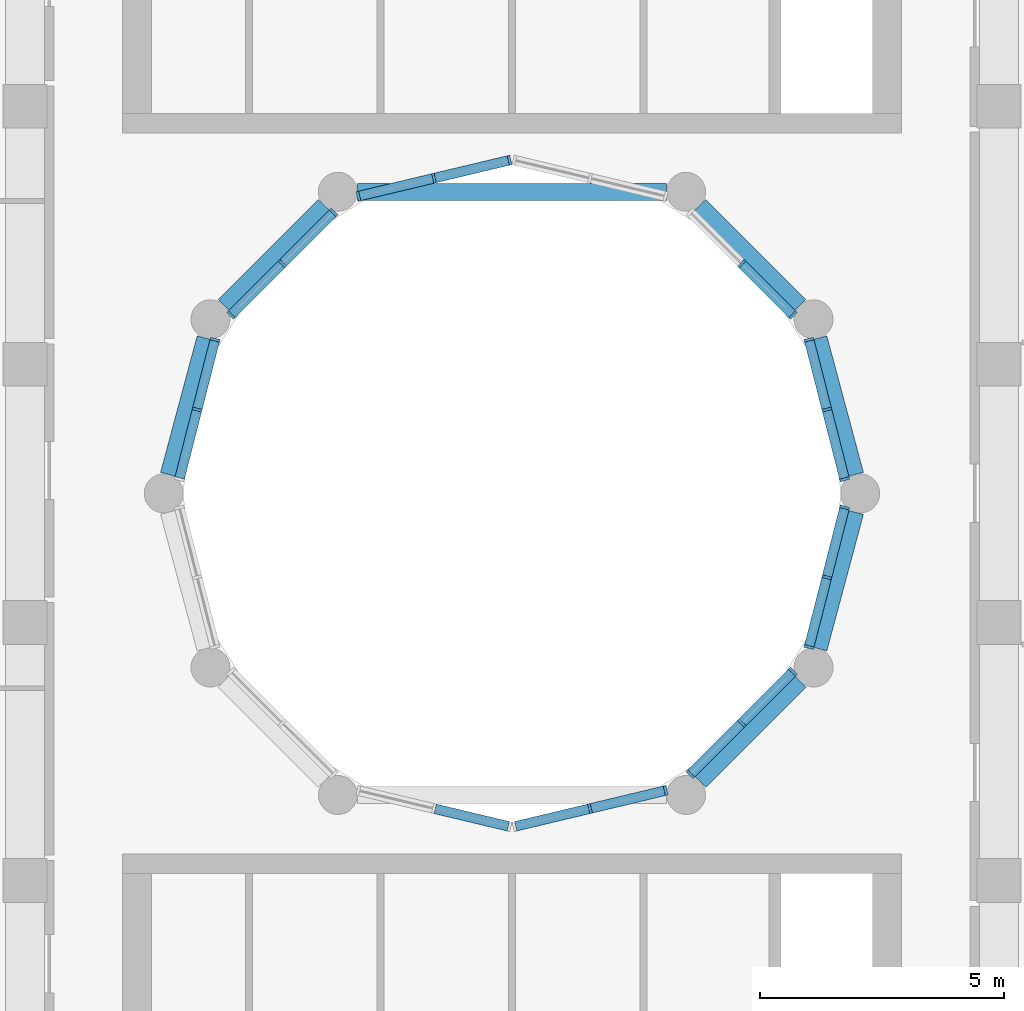
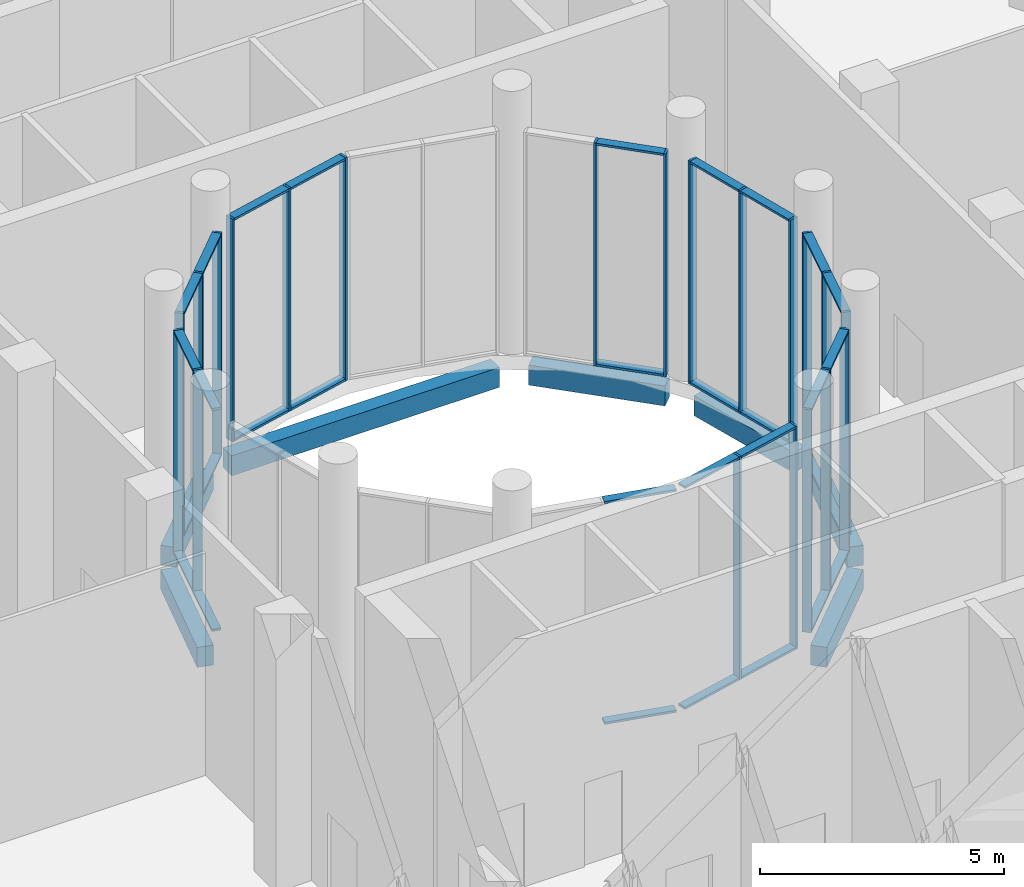
# One storey, part 3 of 19: 53 members, 7 beams, 9 elements without a shape of their own.
"""IFC4 building model written with IfcOpenShell, lengths in metres."""

from ifc_helpers import new_model, si_unit, direction, frame, origin, origin_2d, place, context, subcontext, project, spatial, rectangle, extrude, material, layer, layer_set, material_profile, profile_set, type_object, element, aggregate, save


model = new_model("IFC4")

# Units and contexts
model_context = context("Model", 3, precision=1e-05, world=origin(), true_north=direction((0.0, 1.0)))
body_context = subcontext(model_context, "Body", "Model", "MODEL_VIEW")
ifc_project = project(units=[si_unit("LENGTHUNIT", "METRE"), si_unit("AREAUNIT", "SQUARE_METRE"), si_unit("VOLUMEUNIT", "CUBIC_METRE"), si_unit("PLANEANGLEUNIT", "RADIAN"), si_unit("MASSUNIT", "GRAM", prefix="KILO")], contexts=[model_context])

# Site, building, storey
site_placement = place(None, origin())
site = spatial("IfcSite", under=ifc_project, at=site_placement, CompositionType="ELEMENT")
building_placement = place(site_placement, origin())
building = spatial("IfcBuilding", under=site, at=building_placement, Name="Nakaniwa Court", CompositionType="ELEMENT")
storey_placement = place(building_placement, frame((0.0, 0.0, 219.60009765625)))
storey = spatial("IfcBuildingStorey", under=building, at=storey_placement, Name="S4", CompositionType="ELEMENT", Elevation=219.60009765625)

# Curtain wall, members
ifc_material_1 = material(Name="Black anodised aluminium frame with dark low-E laminated double glazing", Category="aluminium")
ifc_layer = layer(ifc_material_1, 0.199951171875)
ifc_layer_set = layer_set([ifc_layer], Name="Black anodised aluminium frame with dark low-E laminated double glazing")
curtain_wall_type = type_object("IfcCurtainWallType", Name="Amenity and sky level curtain wall", PredefinedType="NOTDEFINED", material=ifc_layer_set)
curtain_wall_1_placement = place(storey_placement, origin())
curtain_wall_1 = element("IfcCurtainWall", 1, at=curtain_wall_1_placement, inside=storey, type_object=curtain_wall_type, Name="S4 curtain wall CW3 36", PredefinedType="NOTDEFINED")
ifc_material_2 = material(Name="Black anodised aluminium extrusion", Category="aluminium")
ifc_material_profile_1 = material_profile(ifc_material_2, rectangle(XDim=0.199951171875, YDim=0.054931640625, at=origin_2d()), Name="Amenity and sky level curtain wall mullion 55x200")
ifc_profile_set_1 = profile_set([ifc_material_profile_1], Name="Black anodised aluminium extrusion")
member_type_1 = type_object("IfcMemberType", Name="Amenity and sky level curtain wall mullion 55x200", PredefinedType="MULLION", material=ifc_profile_set_1)
member_1_placement = place(storey_placement, frame((86.829345703125, 79.70947265625, 0.0), z_axis=(0.0, 0.0, 1.0), x_axis=(0.968986463302, -0.247113807661, 0.0)))
member_1 = element("IfcMember", 2, at=member_1_placement, type_object=member_type_1, Name="CW3 mullion 1", PredefinedType="MULLION", context=body_context, shape_type="SweptSolid", body=[
    extrude(rectangle(XDim=0.199951171875, YDim=0.054931640625, at=origin_2d()), origin(), (0.0, 0.0, 1.0), 5.58984375),
])
member_2_placement = place(storey_placement, frame((86.46435546875, 78.27783203125, 0.0), z_axis=(0.0, 0.0, 1.0), x_axis=(0.968986463302, -0.247113807661, 0.0)))
member_2 = element("IfcMember", 3, at=member_2_placement, type_object=member_type_1, Name="CW3 mullion 2", PredefinedType="MULLION", context=body_context, shape_type="SweptSolid", body=[
    extrude(rectangle(XDim=0.199951171875, YDim=0.054931640625, at=origin_2d()), origin(), (0.0, 0.0, 1.0), 5.58984375),
])
member_3_placement = place(storey_placement, frame((86.09912109375, 76.84619140625, 0.0), z_axis=(0.0, 0.0, 1.0), x_axis=(0.968986463302, -0.247113807661, 0.0)))
member_3 = element("IfcMember", 4, at=member_3_placement, type_object=member_type_1, Name="CW3 mullion 3", PredefinedType="MULLION", context=body_context, shape_type="SweptSolid", body=[
    extrude(rectangle(XDim=0.199951171875, YDim=0.054931640625, at=origin_2d()), origin(), (0.0, 0.0, 1.0), 5.58984375),
])

curtain_wall_2_placement = place(storey_placement, origin())
curtain_wall_2 = element("IfcCurtainWall", 5, at=curtain_wall_2_placement, inside=storey, type_object=curtain_wall_type, Name="S4 curtain wall CW3 37", PredefinedType="NOTDEFINED")
member_4_placement = place(storey_placement, frame((85.7685546875, 76.33740234375, 0.0), z_axis=(0.0, 0.0, 1.0), x_axis=(0.707106781187, -0.707106781187, 0.0)))
member_4 = element("IfcMember", 6, at=member_4_placement, type_object=member_type_1, Name="CW3 mullion 1", PredefinedType="MULLION", context=body_context, shape_type="SweptSolid", body=[
    extrude(rectangle(XDim=0.199951171875, YDim=0.054931640625, at=origin_2d()), origin(), (0.0, 0.0, 1.0), 5.58984375),
])
member_5_placement = place(storey_placement, frame((84.715576171875, 75.284423828125, 0.0), z_axis=(0.0, 0.0, 1.0), x_axis=(0.707106781187, -0.707106781187, 0.0)))
member_5 = element("IfcMember", 7, at=member_5_placement, type_object=member_type_1, Name="CW3 mullion 2", PredefinedType="MULLION", context=body_context, shape_type="SweptSolid", body=[
    extrude(rectangle(XDim=0.199951171875, YDim=0.054931640625, at=origin_2d()), origin(), (0.0, 0.0, 1.0), 5.58984375),
])
member_6_placement = place(storey_placement, frame((83.66259765625, 74.2314453125, 0.0), z_axis=(0.0, 0.0, 1.0), x_axis=(0.707106781187, -0.707106781187, 0.0)))
member_6 = element("IfcMember", 8, at=member_6_placement, type_object=member_type_1, Name="CW3 mullion 3", PredefinedType="MULLION", context=body_context, shape_type="SweptSolid", body=[
    extrude(rectangle(XDim=0.199951171875, YDim=0.054931640625, at=origin_2d()), origin(), (0.0, 0.0, 1.0), 5.58984375),
])

curtain_wall_3_placement = place(storey_placement, origin())
curtain_wall_3 = element("IfcCurtainWall", 9, at=curtain_wall_3_placement, inside=storey, type_object=curtain_wall_type, Name="S4 curtain wall CW3 38", PredefinedType="NOTDEFINED")
member_7_placement = place(storey_placement, frame((83.153564453125, 73.898681640625, 0.0), z_axis=(0.0, 0.0, 1.0), x_axis=(0.231791306712, -0.972765537081, 0.0)))
member_7 = element("IfcMember", 10, at=member_7_placement, type_object=member_type_1, Name="CW3 mullion 1", PredefinedType="MULLION", context=body_context, shape_type="SweptSolid", body=[
    extrude(rectangle(XDim=0.199951171875, YDim=0.054931640625, at=origin_2d()), origin(), (0.0, 0.0, 1.0), 5.58984375),
])
member_8_placement = place(storey_placement, frame((81.601806640625, 73.52880859375, 0.0), z_axis=(0.0, 0.0, 1.0), x_axis=(0.231791306712, -0.972765537081, 0.0)))
member_8 = element("IfcMember", 11, at=member_8_placement, type_object=member_type_1, Name="CW3 mullion 2", PredefinedType="MULLION", context=body_context, shape_type="SweptSolid", body=[
    extrude(rectangle(XDim=0.199951171875, YDim=0.054931640625, at=origin_2d()), origin(), (0.0, 0.0, 1.0), 5.58984375),
])

curtain_wall_4_placement = place(storey_placement, origin())
curtain_wall_4 = element("IfcCurtainWall", 12, at=curtain_wall_4_placement, inside=storey, type_object=curtain_wall_type, Name="S4 curtain wall CW3 42", PredefinedType="NOTDEFINED")
member_9_placement = place(storey_placement, frame((73.53564453125, 81.72216796875, 0.0), z_axis=(0.0, 0.0, 1.0), x_axis=(-0.968986463302, 0.247113807661, 0.0)))
member_9 = element("IfcMember", 13, at=member_9_placement, type_object=member_type_1, Name="CW3 mullion 2", PredefinedType="MULLION", context=body_context, shape_type="SweptSolid", body=[
    extrude(rectangle(XDim=0.199951171875, YDim=0.054931640625, at=origin_2d()), origin(), (0.0, 0.0, 1.0), 5.58984375),
])
member_10_placement = place(storey_placement, frame((73.90087890625, 83.15380859375, 0.0), z_axis=(0.0, 0.0, 1.0), x_axis=(-0.968986463302, 0.247113807661, 0.0)))
member_10 = element("IfcMember", 14, at=member_10_placement, type_object=member_type_1, Name="CW3 mullion 3", PredefinedType="MULLION", context=body_context, shape_type="SweptSolid", body=[
    extrude(rectangle(XDim=0.199951171875, YDim=0.054931640625, at=origin_2d()), origin(), (0.0, 0.0, 1.0), 5.58984375),
])

curtain_wall_5_placement = place(storey_placement, origin())
curtain_wall_5 = element("IfcCurtainWall", 15, at=curtain_wall_5_placement, inside=storey, type_object=curtain_wall_type, Name="S4 curtain wall CW3 43", PredefinedType="NOTDEFINED")
member_11_placement = place(storey_placement, frame((74.2314453125, 83.66259765625, 0.0), z_axis=(0.0, 0.0, 1.0), x_axis=(-0.707106781187, 0.707106781187, 0.0)))
member_11 = element("IfcMember", 16, at=member_11_placement, type_object=member_type_1, Name="CW3 mullion 1", PredefinedType="MULLION", context=body_context, shape_type="SweptSolid", body=[
    extrude(rectangle(XDim=0.199951171875, YDim=0.054931640625, at=origin_2d()), origin(), (0.0, 0.0, 1.0), 5.58984375),
])
member_12_placement = place(storey_placement, frame((75.284423828125, 84.715576171875, 0.0), z_axis=(0.0, 0.0, 1.0), x_axis=(-0.707106781187, 0.707106781187, 0.0)))
member_12 = element("IfcMember", 17, at=member_12_placement, type_object=member_type_1, Name="CW3 mullion 2", PredefinedType="MULLION", context=body_context, shape_type="SweptSolid", body=[
    extrude(rectangle(XDim=0.199951171875, YDim=0.054931640625, at=origin_2d()), origin(), (0.0, 0.0, 1.0), 5.58984375),
])
member_13_placement = place(storey_placement, frame((76.33740234375, 85.7685546875, 0.0), z_axis=(0.0, 0.0, 1.0), x_axis=(-0.707106781187, 0.707106781187, 0.0)))
member_13 = element("IfcMember", 18, at=member_13_placement, type_object=member_type_1, Name="CW3 mullion 3", PredefinedType="MULLION", context=body_context, shape_type="SweptSolid", body=[
    extrude(rectangle(XDim=0.199951171875, YDim=0.054931640625, at=origin_2d()), origin(), (0.0, 0.0, 1.0), 5.58984375),
])

curtain_wall_6_placement = place(storey_placement, origin())
curtain_wall_6 = element("IfcCurtainWall", 19, at=curtain_wall_6_placement, inside=storey, type_object=curtain_wall_type, Name="S4 curtain wall CW3 44", PredefinedType="NOTDEFINED")
member_14_placement = place(storey_placement, frame((76.846435546875, 86.101318359375, 0.0), z_axis=(0.0, 0.0, 1.0), x_axis=(-0.231791306712, 0.972765537081, 0.0)))
member_14 = element("IfcMember", 20, at=member_14_placement, type_object=member_type_1, Name="CW3 mullion 1", PredefinedType="MULLION", context=body_context, shape_type="SweptSolid", body=[
    extrude(rectangle(XDim=0.199951171875, YDim=0.054931640625, at=origin_2d()), origin(), (0.0, 0.0, 1.0), 5.58984375),
])
member_15_placement = place(storey_placement, frame((78.398193359375, 86.47119140625, 0.0), z_axis=(0.0, 0.0, 1.0), x_axis=(-0.231791306712, 0.972765537081, 0.0)))
member_15 = element("IfcMember", 21, at=member_15_placement, type_object=member_type_1, Name="CW3 mullion 2", PredefinedType="MULLION", context=body_context, shape_type="SweptSolid", body=[
    extrude(rectangle(XDim=0.199951171875, YDim=0.054931640625, at=origin_2d()), origin(), (0.0, 0.0, 1.0), 5.58984375),
])
member_16_placement = place(storey_placement, frame((79.949951171875, 86.8408203125, 0.0), z_axis=(0.0, 0.0, 1.0), x_axis=(-0.231791306712, 0.972765537081, 0.0)))
member_16 = element("IfcMember", 22, at=member_16_placement, type_object=member_type_1, Name="CW3 mullion 3", PredefinedType="MULLION", context=body_context, shape_type="SweptSolid", body=[
    extrude(rectangle(XDim=0.199951171875, YDim=0.054931640625, at=origin_2d()), origin(), (0.0, 0.0, 1.0), 5.58984375),
])

curtain_wall_7_placement = place(storey_placement, origin())
curtain_wall_7 = element("IfcCurtainWall", 23, at=curtain_wall_7_placement, inside=storey, type_object=curtain_wall_type, Name="S4 curtain wall CW3 46", PredefinedType="NOTDEFINED")
member_17_placement = place(storey_placement, frame((84.715576171875, 84.715576171875, 0.0), z_axis=(0.0, 0.0, 1.0), x_axis=(0.707106781187, 0.707106781187, 0.0)))
member_17 = element("IfcMember", 24, at=member_17_placement, type_object=member_type_1, Name="CW3 mullion 2", PredefinedType="MULLION", context=body_context, shape_type="SweptSolid", body=[
    extrude(rectangle(XDim=0.199951171875, YDim=0.054931640625, at=origin_2d()), origin(), (0.0, 0.0, 1.0), 5.58984375),
])
member_18_placement = place(storey_placement, frame((85.7685546875, 83.66259765625, 0.0), z_axis=(0.0, 0.0, 1.0), x_axis=(0.707106781187, 0.707106781187, 0.0)))
member_18 = element("IfcMember", 25, at=member_18_placement, type_object=member_type_1, Name="CW3 mullion 3", PredefinedType="MULLION", context=body_context, shape_type="SweptSolid", body=[
    extrude(rectangle(XDim=0.199951171875, YDim=0.054931640625, at=origin_2d()), origin(), (0.0, 0.0, 1.0), 5.58984375),
])

curtain_wall_8_placement = place(storey_placement, origin())
curtain_wall_8 = element("IfcCurtainWall", 26, at=curtain_wall_8_placement, inside=storey, type_object=curtain_wall_type, Name="S4 curtain wall CW3 47", PredefinedType="NOTDEFINED")
member_19_placement = place(storey_placement, frame((86.09912109375, 83.15380859375, 0.0), z_axis=(0.0, 0.0, 1.0), x_axis=(0.968986463302, 0.247113807661, 0.0)))
member_19 = element("IfcMember", 27, at=member_19_placement, type_object=member_type_1, Name="CW3 mullion 1", PredefinedType="MULLION", context=body_context, shape_type="SweptSolid", body=[
    extrude(rectangle(XDim=0.199951171875, YDim=0.054931640625, at=origin_2d()), origin(), (0.0, 0.0, 1.0), 5.58984375),
])
member_20_placement = place(storey_placement, frame((86.46435546875, 81.72216796875, 0.0), z_axis=(0.0, 0.0, 1.0), x_axis=(0.968986463302, 0.247113807661, 0.0)))
member_20 = element("IfcMember", 28, at=member_20_placement, type_object=member_type_1, Name="CW3 mullion 2", PredefinedType="MULLION", context=body_context, shape_type="SweptSolid", body=[
    extrude(rectangle(XDim=0.199951171875, YDim=0.054931640625, at=origin_2d()), origin(), (0.0, 0.0, 1.0), 5.58984375),
])
member_21_placement = place(storey_placement, frame((86.829345703125, 80.29052734375, 0.0), z_axis=(0.0, 0.0, 1.0), x_axis=(0.968986463302, 0.247113807661, 0.0)))
member_21 = element("IfcMember", 29, at=member_21_placement, type_object=member_type_1, Name="CW3 mullion 3", PredefinedType="MULLION", context=body_context, shape_type="SweptSolid", body=[
    extrude(rectangle(XDim=0.199951171875, YDim=0.054931640625, at=origin_2d()), origin(), (0.0, 0.0, 1.0), 5.58984375),
])

# Member
ifc_material_profile_2 = material_profile(ifc_material_2, rectangle(XDim=0.199951171875, YDim=0.054931640625, at=origin_2d()), Name="Amenity and sky level curtain wall transom 55x200")
ifc_profile_set_2 = profile_set([ifc_material_profile_2], Name="Black anodised aluminium extrusion")
member_type_2 = type_object("IfcMemberType", Name="Amenity and sky level curtain wall transom 55x200", PredefinedType="USERDEFINED", material=ifc_profile_set_2)
member_22_placement = place(storey_placement, frame((86.822509765625, 79.682861328125, 0.02734375), z_axis=(-0.24697526524, -0.969021784255, 0.0), x_axis=(0.969021784255, -0.24697526524, 0.0)))
member_22 = element("IfcMember", 30, at=member_22_placement, type_object=member_type_2, Name="CW3 transom 1.1", ObjectType="TRANSOM", PredefinedType="USERDEFINED", context=body_context, shape_type="SweptSolid", body=[
    extrude(rectangle(XDim=0.199951171875, YDim=0.054931640625, at=origin_2d()), origin(), (0.0, 0.0, 1.0), 1.42236328125),
])

member_23_placement = place(storey_placement, frame((86.822509765625, 79.682861328125, 5.5625), z_axis=(-0.24697526524, -0.969021784255, 0.0), x_axis=(0.969021784255, -0.24697526524, 0.0)))
member_23 = element("IfcMember", 31, at=member_23_placement, type_object=member_type_2, Name="CW3 transom 1.2", ObjectType="TRANSOM", PredefinedType="USERDEFINED", context=body_context, shape_type="SweptSolid", body=[
    extrude(rectangle(XDim=0.199951171875, YDim=0.054931640625, at=origin_2d()), origin(), (0.0, 0.0, 1.0), 1.42236328125),
])

member_24_placement = place(storey_placement, frame((86.45751953125, 78.251220703125, 0.02734375), z_axis=(-0.247136415914, -0.968980697398, 0.0), x_axis=(0.968980697398, -0.247136415914, 0.0)))
member_24 = element("IfcMember", 32, at=member_24_placement, type_object=member_type_2, Name="CW3 transom 2.1", ObjectType="TRANSOM", PredefinedType="USERDEFINED", context=body_context, shape_type="SweptSolid", body=[
    extrude(rectangle(XDim=0.199951171875, YDim=0.054931640625, at=origin_2d()), origin(), (0.0, 0.0, 1.0), 1.422607421875),
])

member_25_placement = place(storey_placement, frame((86.45751953125, 78.251220703125, 5.5625), z_axis=(-0.247136415914, -0.968980697398, 0.0), x_axis=(0.968980697398, -0.247136415914, 0.0)))
member_25 = element("IfcMember", 33, at=member_25_placement, type_object=member_type_2, Name="CW3 transom 2.2", ObjectType="TRANSOM", PredefinedType="USERDEFINED", context=body_context, shape_type="SweptSolid", body=[
    extrude(rectangle(XDim=0.199951171875, YDim=0.054931640625, at=origin_2d()), origin(), (0.0, 0.0, 1.0), 1.422607421875),
])

aggregate(curtain_wall_1, [member_1, member_2, member_3, member_22, member_23, member_24, member_25])

member_26_placement = place(storey_placement, frame((85.7490234375, 76.31787109375, 0.02734375), z_axis=(-0.707106781187, -0.707106781187, 0.0), x_axis=(0.707106781187, -0.707106781187, 0.0)))
member_26 = element("IfcMember", 34, at=member_26_placement, type_object=member_type_2, Name="CW3 transom 1.1", ObjectType="TRANSOM", PredefinedType="USERDEFINED", context=body_context, shape_type="SweptSolid", body=[
    extrude(rectangle(XDim=0.199951171875, YDim=0.054931640625, at=origin_2d()), origin(), (0.0, 0.0, 1.0), 1.433837890625),
])

member_27_placement = place(storey_placement, frame((85.7490234375, 76.31787109375, 5.5625), z_axis=(-0.707106781187, -0.707106781187, 0.0), x_axis=(0.707106781187, -0.707106781187, 0.0)))
member_27 = element("IfcMember", 35, at=member_27_placement, type_object=member_type_2, Name="CW3 transom 1.2", ObjectType="TRANSOM", PredefinedType="USERDEFINED", context=body_context, shape_type="SweptSolid", body=[
    extrude(rectangle(XDim=0.199951171875, YDim=0.054931640625, at=origin_2d()), origin(), (0.0, 0.0, 1.0), 1.433837890625),
])

member_28_placement = place(storey_placement, frame((84.696044921875, 75.264892578125, 0.02734375), z_axis=(-0.707106781187, -0.707106781187, 0.0), x_axis=(0.707106781187, -0.707106781187, 0.0)))
member_28 = element("IfcMember", 36, at=member_28_placement, type_object=member_type_2, Name="CW3 transom 2.1", ObjectType="TRANSOM", PredefinedType="USERDEFINED", context=body_context, shape_type="SweptSolid", body=[
    extrude(rectangle(XDim=0.199951171875, YDim=0.054931640625, at=origin_2d()), origin(), (0.0, 0.0, 1.0), 1.433837890625),
])

member_29_placement = place(storey_placement, frame((84.696044921875, 75.264892578125, 5.5625), z_axis=(-0.707106781187, -0.707106781187, 0.0), x_axis=(0.707106781187, -0.707106781187, 0.0)))
member_29 = element("IfcMember", 37, at=member_29_placement, type_object=member_type_2, Name="CW3 transom 2.2", ObjectType="TRANSOM", PredefinedType="USERDEFINED", context=body_context, shape_type="SweptSolid", body=[
    extrude(rectangle(XDim=0.199951171875, YDim=0.054931640625, at=origin_2d()), origin(), (0.0, 0.0, 1.0), 1.433837890625),
])

aggregate(curtain_wall_2, [member_4, member_5, member_6, member_26, member_27, member_28, member_29])

member_30_placement = place(storey_placement, frame((83.126953125, 73.892333984375, 0.02734375), z_axis=(-0.972741550558, -0.231891948585, 0.0), x_axis=(0.231891948585, -0.972741550558, 0.0)))
member_30 = element("IfcMember", 38, at=member_30_placement, type_object=member_type_2, Name="CW3 transom 1.1", ObjectType="TRANSOM", PredefinedType="USERDEFINED", context=body_context, shape_type="SweptSolid", body=[
    extrude(rectangle(XDim=0.199951171875, YDim=0.054931640625, at=origin_2d()), origin(), (0.0, 0.0, 1.0), 1.540283203125),
])

member_31_placement = place(storey_placement, frame((83.126953125, 73.892333984375, 5.5625), z_axis=(-0.972741550558, -0.231891948585, 0.0), x_axis=(0.231891948585, -0.972741550558, 0.0)))
member_31 = element("IfcMember", 39, at=member_31_placement, type_object=member_type_2, Name="CW3 transom 1.2", ObjectType="TRANSOM", PredefinedType="USERDEFINED", context=body_context, shape_type="SweptSolid", body=[
    extrude(rectangle(XDim=0.199951171875, YDim=0.054931640625, at=origin_2d()), origin(), (0.0, 0.0, 1.0), 1.540283203125),
])

member_32_placement = place(storey_placement, frame((81.574951171875, 73.5224609375, 0.02734375), z_axis=(-0.972777294296, -0.231741959306, 0.0), x_axis=(0.231741959306, -0.972777294296, 0.0)))
member_32 = element("IfcMember", 40, at=member_32_placement, type_object=member_type_2, Name="CW3 transom 2.1", ObjectType="TRANSOM", PredefinedType="USERDEFINED", context=body_context, shape_type="SweptSolid", body=[
    extrude(rectangle(XDim=0.199951171875, YDim=0.054931640625, at=origin_2d()), origin(), (0.0, 0.0, 1.0), 1.540283203125),
])

member_33_placement = place(storey_placement, frame((81.574951171875, 73.5224609375, 5.5625), z_axis=(-0.972777294296, -0.231741959306, 0.0), x_axis=(0.231741959306, -0.972777294296, 0.0)))
member_33 = element("IfcMember", 41, at=member_33_placement, type_object=member_type_2, Name="CW3 transom 2.2", ObjectType="TRANSOM", PredefinedType="USERDEFINED", context=body_context, shape_type="SweptSolid", body=[
    extrude(rectangle(XDim=0.199951171875, YDim=0.054931640625, at=origin_2d()), origin(), (0.0, 0.0, 1.0), 1.540283203125),
])

aggregate(curtain_wall_3, [member_7, member_8, member_30, member_31, member_32, member_33])

# Curtain wall, members
curtain_wall_9_placement = place(storey_placement, origin())
curtain_wall_9 = element("IfcCurtainWall", 42, at=curtain_wall_9_placement, inside=storey, type_object=curtain_wall_type, Name="S4 curtain wall CW3 39", PredefinedType="NOTDEFINED")
member_34_placement = place(storey_placement, frame((79.92333984375, 73.16552734375, 0.02734375), z_axis=(-0.972777294296, 0.231741959306, 0.0), x_axis=(-0.231741959306, -0.972777294296, 0.0)))
member_34 = element("IfcMember", 43, at=member_34_placement, type_object=member_type_2, Name="CW3 transom 1.1", ObjectType="TRANSOM", PredefinedType="USERDEFINED", context=body_context, shape_type="SweptSolid", body=[
    extrude(rectangle(XDim=0.199951171875, YDim=0.054931640625, at=origin_2d()), origin(), (0.0, 0.0, 1.0), 1.540283203125),
])
member_35_placement = place(storey_placement, frame((79.92333984375, 73.16552734375, 5.5625), z_axis=(-0.972777294296, 0.231741959306, 0.0), x_axis=(-0.231741959306, -0.972777294296, 0.0)))
member_35 = element("IfcMember", 44, at=member_35_placement, type_object=member_type_2, Name="CW3 transom 1.2", ObjectType="TRANSOM", PredefinedType="USERDEFINED", context=body_context, shape_type="SweptSolid", body=[
    extrude(rectangle(XDim=0.199951171875, YDim=0.054931640625, at=origin_2d()), origin(), (0.0, 0.0, 1.0), 1.540283203125),
])
aggregate(curtain_wall_9, [member_34, member_35])

# Member
member_36_placement = place(storey_placement, frame((73.177490234375, 80.317138671875, 0.02734375), z_axis=(0.24697526524, 0.969021784255, 0.0), x_axis=(-0.969021784255, 0.24697526524, 0.0)))
member_36 = element("IfcMember", 45, at=member_36_placement, type_object=member_type_2, Name="CW3 transom 1.1", ObjectType="TRANSOM", PredefinedType="USERDEFINED", context=body_context, shape_type="SweptSolid", body=[
    extrude(rectangle(XDim=0.199951171875, YDim=0.054931640625, at=origin_2d()), origin(), (0.0, 0.0, 1.0), 1.42236328125),
])

member_37_placement = place(storey_placement, frame((73.177490234375, 80.317138671875, 5.5625), z_axis=(0.24697526524, 0.969021784255, 0.0), x_axis=(-0.969021784255, 0.24697526524, 0.0)))
member_37 = element("IfcMember", 46, at=member_37_placement, type_object=member_type_2, Name="CW3 transom 1.2", ObjectType="TRANSOM", PredefinedType="USERDEFINED", context=body_context, shape_type="SweptSolid", body=[
    extrude(rectangle(XDim=0.199951171875, YDim=0.054931640625, at=origin_2d()), origin(), (0.0, 0.0, 1.0), 1.42236328125),
])

member_38_placement = place(storey_placement, frame((73.54248046875, 81.748779296875, 0.02734375), z_axis=(0.247136415914, 0.968980697398, 0.0), x_axis=(-0.968980697398, 0.247136415914, 0.0)))
member_38 = element("IfcMember", 47, at=member_38_placement, type_object=member_type_2, Name="CW3 transom 2.1", ObjectType="TRANSOM", PredefinedType="USERDEFINED", context=body_context, shape_type="SweptSolid", body=[
    extrude(rectangle(XDim=0.199951171875, YDim=0.054931640625, at=origin_2d()), origin(), (0.0, 0.0, 1.0), 1.422607421875),
])

member_39_placement = place(storey_placement, frame((73.54248046875, 81.748779296875, 5.5625), z_axis=(0.247136415914, 0.968980697398, 0.0), x_axis=(-0.968980697398, 0.247136415914, 0.0)))
member_39 = element("IfcMember", 48, at=member_39_placement, type_object=member_type_2, Name="CW3 transom 2.2", ObjectType="TRANSOM", PredefinedType="USERDEFINED", context=body_context, shape_type="SweptSolid", body=[
    extrude(rectangle(XDim=0.199951171875, YDim=0.054931640625, at=origin_2d()), origin(), (0.0, 0.0, 1.0), 1.422607421875),
])

aggregate(curtain_wall_4, [member_9, member_10, member_36, member_37, member_38, member_39])

member_40_placement = place(storey_placement, frame((74.2509765625, 83.68212890625, 0.02734375), z_axis=(0.707106781187, 0.707106781187, 0.0), x_axis=(-0.707106781187, 0.707106781187, 0.0)))
member_40 = element("IfcMember", 49, at=member_40_placement, type_object=member_type_2, Name="CW3 transom 1.1", ObjectType="TRANSOM", PredefinedType="USERDEFINED", context=body_context, shape_type="SweptSolid", body=[
    extrude(rectangle(XDim=0.199951171875, YDim=0.054931640625, at=origin_2d()), origin(), (0.0, 0.0, 1.0), 1.433837890625),
])

member_41_placement = place(storey_placement, frame((74.2509765625, 83.68212890625, 5.5625), z_axis=(0.707106781187, 0.707106781187, 0.0), x_axis=(-0.707106781187, 0.707106781187, 0.0)))
member_41 = element("IfcMember", 50, at=member_41_placement, type_object=member_type_2, Name="CW3 transom 1.2", ObjectType="TRANSOM", PredefinedType="USERDEFINED", context=body_context, shape_type="SweptSolid", body=[
    extrude(rectangle(XDim=0.199951171875, YDim=0.054931640625, at=origin_2d()), origin(), (0.0, 0.0, 1.0), 1.433837890625),
])

member_42_placement = place(storey_placement, frame((75.303955078125, 84.735107421875, 0.02734375), z_axis=(0.707106781187, 0.707106781187, 0.0), x_axis=(-0.707106781187, 0.707106781187, 0.0)))
member_42 = element("IfcMember", 51, at=member_42_placement, type_object=member_type_2, Name="CW3 transom 2.1", ObjectType="TRANSOM", PredefinedType="USERDEFINED", context=body_context, shape_type="SweptSolid", body=[
    extrude(rectangle(XDim=0.199951171875, YDim=0.054931640625, at=origin_2d()), origin(), (0.0, 0.0, 1.0), 1.433837890625),
])

member_43_placement = place(storey_placement, frame((75.303955078125, 84.735107421875, 5.5625), z_axis=(0.707106781187, 0.707106781187, 0.0), x_axis=(-0.707106781187, 0.707106781187, 0.0)))
member_43 = element("IfcMember", 52, at=member_43_placement, type_object=member_type_2, Name="CW3 transom 2.2", ObjectType="TRANSOM", PredefinedType="USERDEFINED", context=body_context, shape_type="SweptSolid", body=[
    extrude(rectangle(XDim=0.199951171875, YDim=0.054931640625, at=origin_2d()), origin(), (0.0, 0.0, 1.0), 1.433837890625),
])

aggregate(curtain_wall_5, [member_11, member_12, member_13, member_40, member_41, member_42, member_43])

member_44_placement = place(storey_placement, frame((76.873046875, 86.107666015625, 0.02734375), z_axis=(0.972741550558, 0.231891948585, 0.0), x_axis=(-0.231891948585, 0.972741550558, 0.0)))
member_44 = element("IfcMember", 53, at=member_44_placement, type_object=member_type_2, Name="CW3 transom 1.1", ObjectType="TRANSOM", PredefinedType="USERDEFINED", context=body_context, shape_type="SweptSolid", body=[
    extrude(rectangle(XDim=0.199951171875, YDim=0.054931640625, at=origin_2d()), origin(), (0.0, 0.0, 1.0), 1.540283203125),
])

member_45_placement = place(storey_placement, frame((76.873046875, 86.107666015625, 5.5625), z_axis=(0.972741550558, 0.231891948585, 0.0), x_axis=(-0.231891948585, 0.972741550558, 0.0)))
member_45 = element("IfcMember", 54, at=member_45_placement, type_object=member_type_2, Name="CW3 transom 1.2", ObjectType="TRANSOM", PredefinedType="USERDEFINED", context=body_context, shape_type="SweptSolid", body=[
    extrude(rectangle(XDim=0.199951171875, YDim=0.054931640625, at=origin_2d()), origin(), (0.0, 0.0, 1.0), 1.540283203125),
])

member_46_placement = place(storey_placement, frame((78.425048828125, 86.4775390625, 0.02734375), z_axis=(0.972777294296, 0.231741959306, 0.0), x_axis=(-0.231741959306, 0.972777294296, 0.0)))
member_46 = element("IfcMember", 55, at=member_46_placement, type_object=member_type_2, Name="CW3 transom 2.1", ObjectType="TRANSOM", PredefinedType="USERDEFINED", context=body_context, shape_type="SweptSolid", body=[
    extrude(rectangle(XDim=0.199951171875, YDim=0.054931640625, at=origin_2d()), origin(), (0.0, 0.0, 1.0), 1.540283203125),
])

member_47_placement = place(storey_placement, frame((78.425048828125, 86.4775390625, 5.5625), z_axis=(0.972777294296, 0.231741959306, 0.0), x_axis=(-0.231741959306, 0.972777294296, 0.0)))
member_47 = element("IfcMember", 56, at=member_47_placement, type_object=member_type_2, Name="CW3 transom 2.2", ObjectType="TRANSOM", PredefinedType="USERDEFINED", context=body_context, shape_type="SweptSolid", body=[
    extrude(rectangle(XDim=0.199951171875, YDim=0.054931640625, at=origin_2d()), origin(), (0.0, 0.0, 1.0), 1.540283203125),
])

aggregate(curtain_wall_6, [member_14, member_15, member_16, member_44, member_45, member_46, member_47])

member_48_placement = place(storey_placement, frame((84.735107421875, 84.696044921875, 0.02734375), z_axis=(0.707106781187, -0.707106781187, 0.0), x_axis=(0.707106781187, 0.707106781187, 0.0)))
member_48 = element("IfcMember", 57, at=member_48_placement, type_object=member_type_2, Name="CW3 transom 2.1", ObjectType="TRANSOM", PredefinedType="USERDEFINED", context=body_context, shape_type="SweptSolid", body=[
    extrude(rectangle(XDim=0.199951171875, YDim=0.054931640625, at=origin_2d()), origin(), (0.0, 0.0, 1.0), 1.433837890625),
])

member_49_placement = place(storey_placement, frame((84.735107421875, 84.696044921875, 5.5625), z_axis=(0.707106781187, -0.707106781187, 0.0), x_axis=(0.707106781187, 0.707106781187, 0.0)))
member_49 = element("IfcMember", 58, at=member_49_placement, type_object=member_type_2, Name="CW3 transom 2.2", ObjectType="TRANSOM", PredefinedType="USERDEFINED", context=body_context, shape_type="SweptSolid", body=[
    extrude(rectangle(XDim=0.199951171875, YDim=0.054931640625, at=origin_2d()), origin(), (0.0, 0.0, 1.0), 1.433837890625),
])

aggregate(curtain_wall_7, [member_17, member_18, member_48, member_49])

member_50_placement = place(storey_placement, frame((86.10595703125, 83.127197265625, 0.02734375), z_axis=(0.247136415914, -0.968980697398, 0.0), x_axis=(0.968980697398, 0.247136415914, 0.0)))
member_50 = element("IfcMember", 59, at=member_50_placement, type_object=member_type_2, Name="CW3 transom 1.1", ObjectType="TRANSOM", PredefinedType="USERDEFINED", context=body_context, shape_type="SweptSolid", body=[
    extrude(rectangle(XDim=0.199951171875, YDim=0.054931640625, at=origin_2d()), origin(), (0.0, 0.0, 1.0), 1.422607421875),
])

member_51_placement = place(storey_placement, frame((86.10595703125, 83.127197265625, 5.5625), z_axis=(0.247136415914, -0.968980697398, 0.0), x_axis=(0.968980697398, 0.247136415914, 0.0)))
member_51 = element("IfcMember", 60, at=member_51_placement, type_object=member_type_2, Name="CW3 transom 1.2", ObjectType="TRANSOM", PredefinedType="USERDEFINED", context=body_context, shape_type="SweptSolid", body=[
    extrude(rectangle(XDim=0.199951171875, YDim=0.054931640625, at=origin_2d()), origin(), (0.0, 0.0, 1.0), 1.422607421875),
])

member_52_placement = place(storey_placement, frame((86.47119140625, 81.695556640625, 0.02734375), z_axis=(0.24697526524, -0.969021784255, 0.0), x_axis=(0.969021784255, 0.24697526524, 0.0)))
member_52 = element("IfcMember", 61, at=member_52_placement, type_object=member_type_2, Name="CW3 transom 2.1", ObjectType="TRANSOM", PredefinedType="USERDEFINED", context=body_context, shape_type="SweptSolid", body=[
    extrude(rectangle(XDim=0.199951171875, YDim=0.054931640625, at=origin_2d()), origin(), (0.0, 0.0, 1.0), 1.42236328125),
])

member_53_placement = place(storey_placement, frame((86.47119140625, 81.695556640625, 5.5625), z_axis=(0.24697526524, -0.969021784255, 0.0), x_axis=(0.969021784255, 0.24697526524, 0.0)))
member_53 = element("IfcMember", 62, at=member_53_placement, type_object=member_type_2, Name="CW3 transom 2.2", ObjectType="TRANSOM", PredefinedType="USERDEFINED", context=body_context, shape_type="SweptSolid", body=[
    extrude(rectangle(XDim=0.199951171875, YDim=0.054931640625, at=origin_2d()), origin(), (0.0, 0.0, 1.0), 1.42236328125),
])

aggregate(curtain_wall_8, [member_19, member_20, member_21, member_50, member_51, member_52, member_53])

# Beams
ifc_material_3 = material(Name="Concrete C80/100", Category="concrete")
ifc_material_profile_3 = material_profile(ifc_material_3, rectangle(XDim=0.35009765625, YDim=0.5, at=origin_2d()), Name="Concrete C80/100 RC 350x500 ring beam")
ifc_profile_set_3 = profile_set([ifc_material_profile_3], Name="Concrete C80/100")
beam_type = type_object("IfcBeamType", Name="Concrete C80/100 RC 350x500 ring beam", PredefinedType="BEAM", material=ifc_profile_set_3)
beam_1_placement = place(storey_placement, frame((87.04638671875, 80.386474609375, -0.60009765625), z_axis=(-0.258778150207, 0.965936783115, 0.0), x_axis=(-0.965936783115, -0.258778150207, 0.0)))
element("IfcBeam", 63, at=beam_1_placement, inside=storey, type_object=beam_type, Name="RING BEAM", PredefinedType="BEAM", context=body_context, shape_type="SweptSolid", body=[
    extrude(rectangle(XDim=0.35009765625, YDim=0.5, at=origin_2d()), origin(), (0.0, 0.0, 1.0), 2.901123046875),
])
beam_2_placement = place(storey_placement, frame((85.9091796875, 83.85791015625, -0.60009765625), z_axis=(-0.707106781187, 0.707106781187, 0.0), x_axis=(-0.707106781187, -0.707106781187, 0.0)))
element("IfcBeam", 64, at=beam_2_placement, inside=storey, type_object=beam_type, Name="RING BEAM", PredefinedType="BEAM", context=body_context, shape_type="SweptSolid", body=[
    extrude(rectangle(XDim=0.35009765625, YDim=0.5, at=origin_2d()), origin(), (0.0, 0.0, 1.0), 2.90087890625),
])
beam_3_placement = place(storey_placement, frame((83.175048828125, 86.192138671875, -0.60009765625), z_axis=(-1.0, 0.0, 0.0), x_axis=(0.0, -1.0, 0.0)))
element("IfcBeam", 65, at=beam_3_placement, inside=storey, type_object=beam_type, Name="RING BEAM", PredefinedType="BEAM", context=body_context, shape_type="SweptSolid", body=[
    extrude(rectangle(XDim=0.35009765625, YDim=0.5, at=origin_2d()), origin(), (0.0, 0.0, 1.0), 6.35009765625),
])
beam_4_placement = place(storey_placement, frame((76.14208984375, 85.9091796875, -0.60009765625), z_axis=(-0.707106781187, -0.707106781187, 0.0), x_axis=(0.707106781187, -0.707106781187, 0.0)))
element("IfcBeam", 66, at=beam_4_placement, inside=storey, type_object=beam_type, Name="RING BEAM", PredefinedType="BEAM", context=body_context, shape_type="SweptSolid", body=[
    extrude(rectangle(XDim=0.35009765625, YDim=0.5, at=origin_2d()), origin(), (0.0, 0.0, 1.0), 2.90087890625),
])
beam_5_placement = place(storey_placement, frame((73.704345703125, 83.188720703125, -0.60009765625), z_axis=(-0.258778150207, -0.965936783115, 0.0), x_axis=(0.965936783115, -0.258778150207, 0.0)))
element("IfcBeam", 67, at=beam_5_placement, inside=storey, type_object=beam_type, Name="RING BEAM", PredefinedType="BEAM", context=body_context, shape_type="SweptSolid", body=[
    extrude(rectangle(XDim=0.35009765625, YDim=0.5, at=origin_2d()), origin(), (0.0, 0.0, 1.0), 2.901123046875),
])
beam_6_placement = place(storey_placement, frame((83.85791015625, 74.0908203125, -0.60009765625), z_axis=(0.707106781187, 0.707106781187, 0.0), x_axis=(-0.707106781187, 0.707106781187, 0.0)))
element("IfcBeam", 68, at=beam_6_placement, inside=storey, type_object=beam_type, Name="RING BEAM", PredefinedType="BEAM", context=body_context, shape_type="SweptSolid", body=[
    extrude(rectangle(XDim=0.35009765625, YDim=0.5, at=origin_2d()), origin(), (0.0, 0.0, 1.0), 2.90087890625),
])
beam_7_placement = place(storey_placement, frame((86.295654296875, 76.811279296875, -0.60009765625), z_axis=(0.258778150207, 0.965936783115, 0.0), x_axis=(-0.965936783115, 0.258778150207, 0.0)))
element("IfcBeam", 69, at=beam_7_placement, inside=storey, type_object=beam_type, Name="RING BEAM", PredefinedType="BEAM", context=body_context, shape_type="SweptSolid", body=[
    extrude(rectangle(XDim=0.35009765625, YDim=0.5, at=origin_2d()), origin(), (0.0, 0.0, 1.0), 2.901123046875),
])

save(model, "model.ifc")
